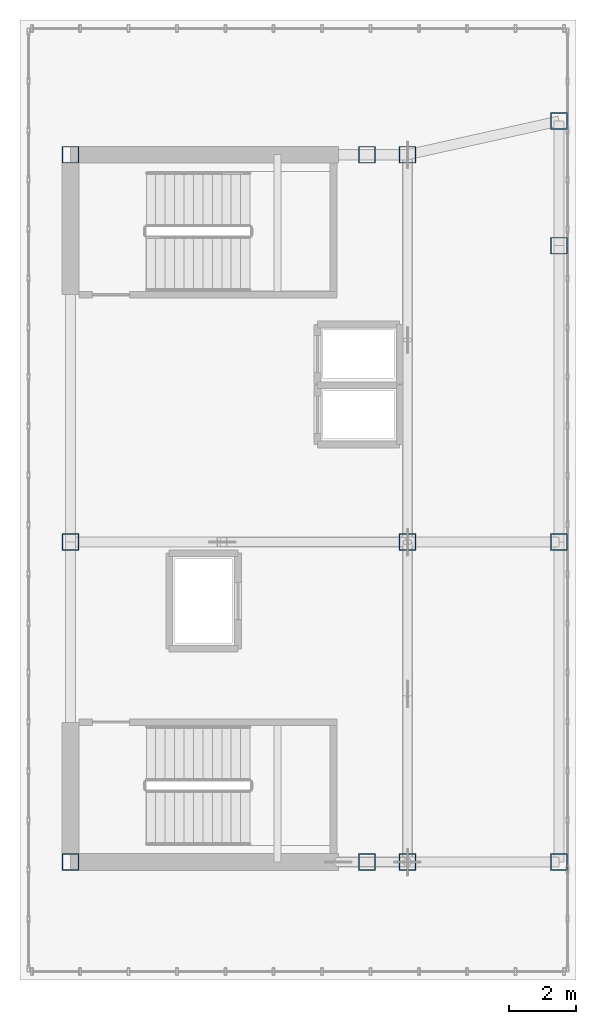
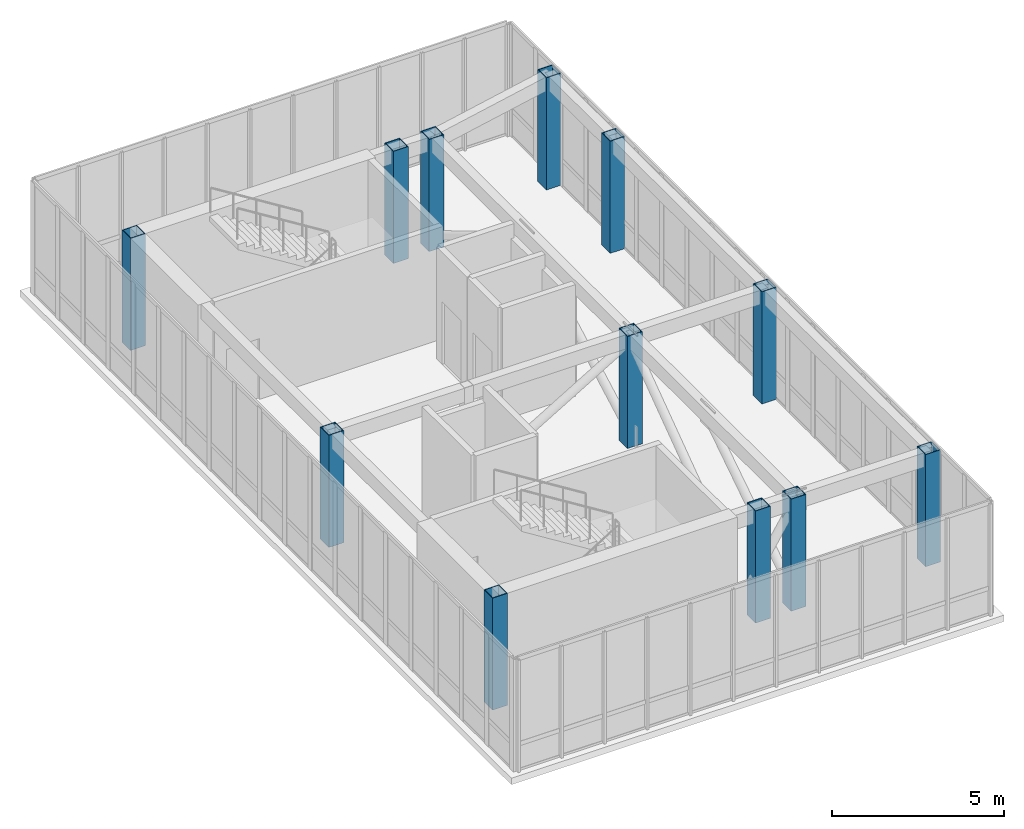
# One storey, part 1 of 13: 12 columns.
"""IFC4 building model written with IfcOpenShell, lengths in metres."""

from ifc_helpers import new_model, si_unit, direction, frame, origin, origin_2d, place, context, subcontext, project, spatial, hollow_rectangle, extrude, source, transform, mapped, material, material_profile, profile_set, type_object, element, save


model = new_model("IFC4")

# Units and contexts
model_context = context("Model", 3, precision=1e-05, world=origin(), true_north=direction((0.0, 1.0)))
body_context = subcontext(model_context, "Body", "Model", "MODEL_VIEW")
ifc_project = project(units=[si_unit("LENGTHUNIT", "METRE"), si_unit("AREAUNIT", "SQUARE_METRE"), si_unit("VOLUMEUNIT", "CUBIC_METRE"), si_unit("PLANEANGLEUNIT", "RADIAN"), si_unit("MASSUNIT", "GRAM", prefix="KILO")], contexts=[model_context])

# Site, building, storey
site_placement = place(None, origin())
site = spatial("IfcSite", under=ifc_project, at=site_placement, CompositionType="ELEMENT")
building_placement = place(site_placement, origin())
building = spatial("IfcBuilding", under=site, at=building_placement, Name="Kharzan Plaza Tower", CompositionType="ELEMENT")
storey_placement = place(building_placement, frame((0.0, 0.0, 294.0)))
storey = spatial("IfcBuildingStorey", under=building, at=storey_placement, Name="L79-CROWN", CompositionType="ELEMENT", Elevation=294.0)

# Columns
ifc_material = material(Name="Steel S355", Category="steel")
ifc_material_profile = material_profile(ifc_material, hollow_rectangle(XDim=0.5, YDim=0.5, WallThickness=0.02490234375, at=origin_2d()), Name="SHS500x500x25")
ifc_profile_set = profile_set([ifc_material_profile], Name="Steel S355")
column_type = type_object("IfcColumnType", Name="COL-LC500", PredefinedType="COLUMN", material=ifc_profile_set)
shared_shape = source(origin(), body_context, "Body", "SweptSolid", [
    extrude(hollow_rectangle(XDim=0.5, YDim=0.5, WallThickness=0.02490234375, at=origin_2d()), origin(), (0.0, 0.0, 1.0), 3.969970703125),
])
for number, where, z_axis, x_axis, name in (
    (1, (4.5, 8.5, 0.0), (0.0, 0.0, 1.0), (1.0, 0.0, 0.0), "L79-CROWN CROWN FRAME Lantern Column LC01"),
    (2, (13.300048828125, 8.5, 0.0), (0.0, 0.0, 1.0), (1.0, 0.0, 0.0), "L79-CROWN CROWN FRAME Lantern Column LC02"),
    (3, (14.5, 8.5, 0.0), (0.0, 0.0, 1.0), (1.0, 0.0, 0.0), "L79-CROWN CROWN FRAME Lantern Column LC03"),
    (4, (4.5, 18.0, 0.0), (0.0, 0.0, 1.0), (1.0, 0.0, 0.0), "L79-CROWN CROWN FRAME Lantern Column LC04"),
    (5, (14.5, 18.0, 0.0), (0.0, 0.0, 1.0), (1.0, 0.0, 0.0), "L79-CROWN CROWN FRAME Lantern Column LC05"),
    (6, (4.5, 29.5, 0.0), (0.0, 0.0, 1.0), (1.0, 0.0, 0.0), "L79-CROWN CROWN FRAME Lantern Column LC06"),
    (7, (13.300048828125, 29.5, 0.0), (0.0, 0.0, 1.0), (1.0, 0.0, 0.0), "L79-CROWN CROWN FRAME Lantern Column LC07"),
    (8, (14.5, 29.5, 0.0), (0.0, 0.0, 1.0), (1.0, 0.0, 0.0), "L79-CROWN CROWN FRAME Lantern Column LC08"),
    (9, (19.0, 8.5, 0.0), (0.0, 0.0, 1.0), (1.0, 0.0, 0.0), "L79-CROWN CROWN FRAME Lantern Column LC09"),
    (10, (19.0, 18.0, 0.0), (0.0, 0.0, 1.0), (1.0, 0.0, 0.0), "L79-CROWN CROWN FRAME Lantern Column LC10"),
    (11, (19.0, 26.800048828125, 0.0), (0.0, 0.0, 1.0), (1.0, 0.0, 0.0), "L79-CROWN CROWN FRAME Lantern Column LC11"),
    (12, (19.0, 30.5, 0.0), (0.0, 0.0, 1.0), (1.0, 0.0, 0.0), "L79-CROWN CROWN FRAME Lantern Column LC12"),
):
    element("IfcColumn", number, at=place(storey_placement, frame(where, z_axis=z_axis, x_axis=x_axis)), inside=storey, type_object=column_type, Name=name, PredefinedType="COLUMN", context=body_context, shape_type="MappedRepresentation", body=[
        mapped(shared_shape, transform((0.0, 0.0, 0.0), x_axis=(1.0, 0.0, 0.0), y_axis=(0.0, 1.0, 0.0), z_axis=(0.0, 0.0, 1.0))),
    ])

save(model, "model.ifc")
